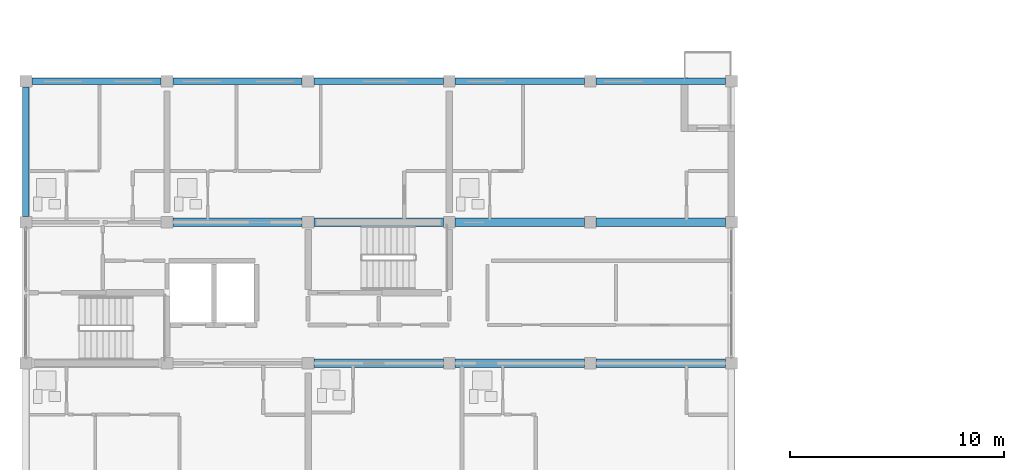
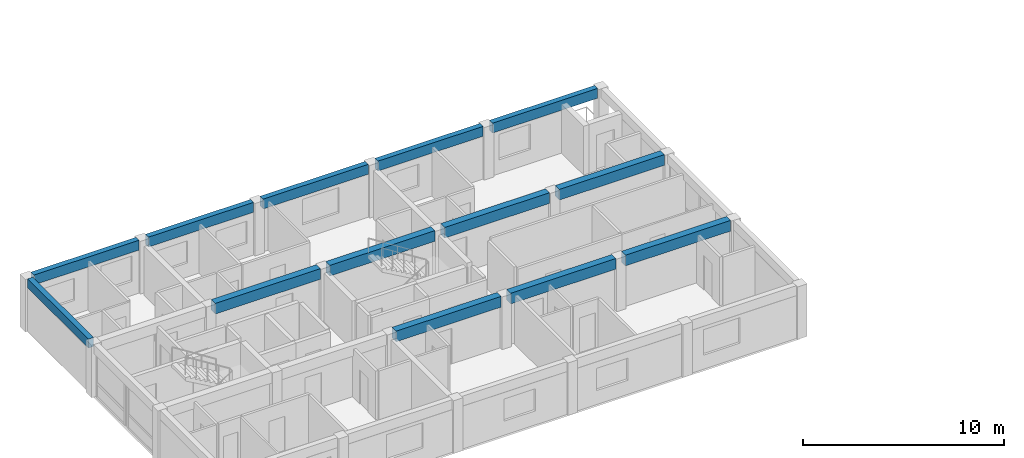
# One storey, part 17 of 45: 13 beams.
"""IFC4 building model written with IfcOpenShell, lengths in metres."""

import ifcopenshell
import ifcopenshell.guid

model = None  # the IFC model being written
_history = None  # IfcOwnerHistory: only IFC2X3 demands one
_inside = {}  # id of a spatial element -> (the spatial element, [elements in it])
_under = {}  # id of a project, library or spatial element -> (it, [spatial elements below it])
_declared = {}  # id of a project -> (the project, [libraries it declares])
_typed = {}  # id of a type object -> (the type object, [elements of that type])
_made_of = {}  # id of a material, layer set ... -> (it, [elements and type objects made of it])


def new_model(schema):
    """Start an empty IFC model of exactly this schema.

    Asked for "IFC4X3", IfcOpenShell would pick the latest addendum, in which some entities
    have other attributes; the version numbers below select the first issue.
    IFC2X3 requires an IfcOwnerHistory on every rooted entity: one is made here for all.
    """
    global model, _history
    if schema == "IFC4X3":
        model = ifcopenshell.file(schema_version=(4, 3, 0, 0))
    else:
        model = ifcopenshell.file(schema=schema)
    _inside.clear()
    _under.clear()
    _declared.clear()
    _typed.clear()
    _made_of.clear()
    _history = None
    if model.schema == "IFC2X3":
        org = make("IfcOrganization", Name="unknown")
        user = make(
            "IfcPersonAndOrganization",
            ThePerson=make("IfcPerson", FamilyName="unknown"),
            TheOrganization=org,
        )
        app = make(
            "IfcApplication",
            ApplicationDeveloper=org,
            Version="unknown",
            ApplicationFullName="unknown",
            ApplicationIdentifier="unknown",
        )
        _history = make(
            "IfcOwnerHistory",
            OwningUser=user,
            OwningApplication=app,
            ChangeAction="ADDED",
            CreationDate=0,
        )
    return model


def make(cls, **values):
    """One entity of the class cls with the attributes given. An attribute that is None is left unset."""
    return model.create_entity(
        cls, **{name: value for name, value in values.items() if value is not None}
    )


def rooted(cls, **values):
    """An entity with a GlobalId (a new one), such as an element, a storey or a relation."""
    return make(cls, GlobalId=ifcopenshell.guid.new(), OwnerHistory=_history, **values)


def si_unit(unit_type, name, prefix=None):
    """IfcSIUnit, for example si_unit("LENGTHUNIT", "METRE", prefix="MILLI")."""
    return make("IfcSIUnit", UnitType=unit_type, Prefix=prefix, Name=name)


def assignment(units):
    """IfcUnitAssignment: the units of a project."""
    return None if units is None else make("IfcUnitAssignment", Units=units)


def point(xyz):
    """IfcCartesianPoint."""
    return None if xyz is None else make("IfcCartesianPoint", Coordinates=xyz)


def direction(xyz):
    """IfcDirection."""
    return None if xyz is None else make("IfcDirection", DirectionRatios=xyz)


def frame(location, z_axis=None, x_axis=None):
    """IfcAxis2Placement3D, a coordinate frame: its origin and axes. An axis left out is left unset."""
    return make(
        "IfcAxis2Placement3D",
        Location=point(location),
        Axis=direction(z_axis),
        RefDirection=direction(x_axis),
    )


def frame_2d(location, x_axis=None):
    """IfcAxis2Placement2D, a coordinate frame in the plane: its origin and x axis."""
    return make(
        "IfcAxis2Placement2D", Location=point(location), RefDirection=direction(x_axis)
    )


def origin():
    """The frame at (0, 0, 0) with its axes left unset."""
    return frame((0.0, 0.0, 0.0))


def origin_2d():
    """The frame at (0, 0) in the plane with its x axis left unset."""
    return frame_2d((0.0, 0.0))


def place(relative_to, where):
    """IfcLocalPlacement: puts the frame where relative to a parent placement (None: the world)."""
    return make(
        "IfcLocalPlacement", PlacementRelTo=relative_to, RelativePlacement=where
    )


def context(
    kind, dimensions, precision=None, world=None, true_north=None, identifier=None
):
    """IfcGeometricRepresentationContext, for example the 3D "Model" context."""
    return make(
        "IfcGeometricRepresentationContext",
        ContextIdentifier=identifier,
        ContextType=kind,
        CoordinateSpaceDimension=dimensions,
        Precision=precision,
        WorldCoordinateSystem=world,
        TrueNorth=true_north,
    )


def subcontext(parent, identifier, kind, view, scale=None):
    """IfcGeometricRepresentationSubContext, for example "Body" below "Model"."""
    return make(
        "IfcGeometricRepresentationSubContext",
        ContextIdentifier=identifier,
        ContextType=kind,
        ParentContext=parent,
        TargetScale=scale,
        TargetView=view,
    )


def project(units=None, contexts=None):
    """IfcProject with its units and contexts."""
    return rooted(
        "IfcProject",
        Name="project",
        RepresentationContexts=contexts,
        UnitsInContext=assignment(units),
    )


def spatial(cls, under=None, at=None, **own):
    """A site, building, storey or space (cls), placed at a placement, below another one or the project."""
    s = rooted(cls, ObjectPlacement=at, **own)
    if under is not None:
        _under.setdefault(under.id(), (under, []))[1].append(s)
    return s


def profile(cls, at=None, kind="AREA", **sizes):
    """A parametric profile (cls). Its sizes go by their IFC names, for example OverallWidth=200.0."""
    return make(cls, ProfileType=kind, Position=at, **sizes)


def rectangle(**sizes):
    """IfcRectangleProfileDef."""
    return profile("IfcRectangleProfileDef", **sizes)


def extrude(swept, where, along, depth):
    """IfcExtrudedAreaSolid: the profile swept, set in the frame where, extruded along a direction by depth."""
    return make(
        "IfcExtrudedAreaSolid",
        SweptArea=swept,
        Position=where,
        ExtrudedDirection=direction(along),
        Depth=depth,
    )


def shape(context_of_items, identifier, shape_type, items):
    """IfcShapeRepresentation: the items that make up one representation, for example the "Body"."""
    return make(
        "IfcShapeRepresentation",
        ContextOfItems=context_of_items,
        RepresentationIdentifier=identifier,
        RepresentationType=shape_type,
        Items=items,
    )


def material(Name=None, Category=None):
    """IfcMaterial."""
    return make("IfcMaterial", Name=Name, Category=Category)


def material_profile(
    of_material, cross_section, Name=None, Category=None, Priority=None
):
    """IfcMaterialProfile: a cross section and its material."""
    return make(
        "IfcMaterialProfile",
        Name=Name,
        Material=of_material,
        Profile=cross_section,
        Priority=Priority,
        Category=Category,
    )


def profile_set(profiles, Name=None, composite=None):
    """IfcMaterialProfileSet."""
    return make(
        "IfcMaterialProfileSet",
        Name=Name,
        MaterialProfiles=profiles,
        CompositeProfile=composite,
    )


def made_of(thing, what):
    """Note that an element or type object is made of a material, layer set ...; save() writes the relation."""
    if what is not None:
        _made_of.setdefault(what.id(), (what, []))[1].append(thing)
    return thing


def type_object(cls, material=None, **own):
    """A type object (cls), such as IfcWallType, which elements share."""
    return made_of(rooted(cls, **own), material)


def element(
    cls,
    number,
    at=None,
    inside=None,
    cuts=None,
    type_object=None,
    material=None,
    context=None,
    identifier="Body",
    shape_type=None,
    held_by="IfcProductDefinitionShape",
    body=None,
    shapes=None,
    **own,
):
    """One element of the class cls, such as IfcWall. Its Tag is "e" and its number.

    at: its placement. inside: the storey or other place that contains it. cuts: it is an
    opening in that element (IfcRelVoidsElement). A single representation is given by context,
    identifier, shape_type and body (its items); several are given by shapes. held_by: the class
    of the entity that holds the representations. save() writes the other relations.
    """
    e = rooted(cls, Tag="e%d" % number, ObjectPlacement=at, **own)
    if body is not None:
        shapes = [shape(context, identifier, shape_type, body)]
    if shapes is not None:
        e.Representation = make(held_by, Representations=shapes)
    if inside is not None:
        _inside.setdefault(inside.id(), (inside, []))[1].append(e)
    if cuts is not None:
        rooted(
            "IfcRelVoidsElement", RelatingBuildingElement=cuts, RelatedOpeningElement=e
        )
    if type_object is not None:
        _typed.setdefault(type_object.id(), (type_object, []))[1].append(e)
    return made_of(e, material)


def aggregate(whole, parts):
    """IfcRelAggregates: a whole, such as a stair, and the parts it consists of."""
    return rooted("IfcRelAggregates", RelatingObject=whole, RelatedObjects=parts)


def save(model, path):
    """Write the relations noted so far, then the file.

    IfcRelAggregates (storeys below a building ...), IfcRelContainedInSpatialStructure (elements
    in a storey), IfcRelDefinesByType, IfcRelAssociatesMaterial and IfcRelDeclares: one each for
    every whole, place, type object, material and project.
    """
    for whole, parts in _under.values():
        aggregate(whole, parts)
    for where, things in _inside.values():
        rooted(
            "IfcRelContainedInSpatialStructure",
            RelatedElements=things,
            RelatingStructure=where,
        )
    for kind, things in _typed.values():
        rooted("IfcRelDefinesByType", RelatedObjects=things, RelatingType=kind)
    for what, things in _made_of.values():
        rooted("IfcRelAssociatesMaterial", RelatedObjects=things, RelatingMaterial=what)
    for by, libraries in _declared.values():
        rooted("IfcRelDeclares", RelatingContext=by, RelatedDefinitions=libraries)
    model.write(path)


model = new_model("IFC4")

# Units and contexts
model_context = context("Model", 3, precision=1e-05, world=origin(), true_north=direction((0.0, 1.0)))
body_context = subcontext(model_context, "Body", "Model", "MODEL_VIEW")
ifc_project = project(units=[si_unit("LENGTHUNIT", "METRE"), si_unit("AREAUNIT", "SQUARE_METRE"), si_unit("VOLUMEUNIT", "CUBIC_METRE"), si_unit("PLANEANGLEUNIT", "RADIAN"), si_unit("MASSUNIT", "GRAM", prefix="KILO")], contexts=[model_context])

# Site, building, storey
site_placement = place(None, origin())
site = spatial("IfcSite", under=ifc_project, at=site_placement, CompositionType="ELEMENT")
building_placement = place(site_placement, origin())
building = spatial("IfcBuilding", under=site, at=building_placement, Name="Kernevlak Ridge Housing Community", CompositionType="ELEMENT")
storey_placement = place(building_placement, frame((0.0, 0.0, 21.199951171875)))
storey = spatial("IfcBuildingStorey", under=building, at=storey_placement, Name="L06", CompositionType="ELEMENT", Elevation=21.199951171875)

# Beams
ifc_material = material(Name="Concrete C35/45", Category="concrete")
ifc_material_profile_1 = material_profile(ifc_material, rectangle(XDim=0.39990234375, YDim=0.64990234375, at=origin_2d()), Name="RC 400x650")
ifc_profile_set_1 = profile_set([ifc_material_profile_1], Name="Concrete C35/45")
beam_type_1 = type_object("IfcBeamType", Name="B-03", PredefinedType="T_BEAM", material=ifc_profile_set_1)
for number, where, z_axis, x_axis, name in (
    (1, (29.074951171875, 82.60009765625, 2.875), (1.0, 0.0, 0.0), (0.0, 1.0, 0.0), "Beam B-03 L06 220"),
    (2, (35.675048828125, 82.60009765625, 2.875), (1.0, 0.0, 0.0), (0.0, 1.0, 0.0), "Beam B-03 L06 221"),
    (3, (42.27490234375, 82.60009765625, 2.875), (1.0, 0.0, 0.0), (0.0, 1.0, 0.0), "Beam B-03 L06 222"),
):
    element("IfcBeam", number, at=place(storey_placement, frame(where, z_axis=z_axis, x_axis=x_axis)), inside=storey, type_object=beam_type_1, Name=name, PredefinedType="T_BEAM", context=body_context, shape_type="SweptSolid", body=[
        extrude(rectangle(XDim=0.39990234375, YDim=0.64990234375, at=origin_2d()), origin(), (0.0, 0.0, 1.0), 6.050048828125),
    ])
beam_1_placement = place(storey_placement, frame((22.47509765625, 89.199951171875, 2.875), z_axis=(1.0, 0.0, 0.0), x_axis=(0.0, 1.0, 0.0)))
element("IfcBeam", 4, at=beam_1_placement, inside=storey, type_object=beam_type_1, Name="Beam B-03 L06 224", PredefinedType="T_BEAM", context=body_context, shape_type="SweptSolid", body=[
    extrude(rectangle(XDim=0.39990234375, YDim=0.64990234375, at=origin_2d()), origin(), (0.0, 0.0, 1.0), 6.0498046875),
])
for number, where, z_axis, x_axis, name in (
    (5, (29.074951171875, 89.199951171875, 2.875), (1.0, 0.0, 0.0), (0.0, 1.0, 0.0), "Beam B-03 L06 225"),
    (6, (35.675048828125, 89.199951171875, 2.875), (1.0, 0.0, 0.0), (0.0, 1.0, 0.0), "Beam B-03 L06 226"),
    (7, (42.27490234375, 89.199951171875, 2.875), (1.0, 0.0, 0.0), (0.0, 1.0, 0.0), "Beam B-03 L06 227"),
):
    element("IfcBeam", number, at=place(storey_placement, frame(where, z_axis=z_axis, x_axis=x_axis)), inside=storey, type_object=beam_type_1, Name=name, PredefinedType="T_BEAM", context=body_context, shape_type="SweptSolid", body=[
        extrude(rectangle(XDim=0.39990234375, YDim=0.64990234375, at=origin_2d()), origin(), (0.0, 0.0, 1.0), 6.050048828125),
    ])
ifc_material_profile_2 = material_profile(ifc_material, rectangle(XDim=0.300048828125, YDim=0.550048828125, at=origin_2d()), Name="RC 300x550")
ifc_profile_set_2 = profile_set([ifc_material_profile_2], Name="Concrete C35/45")
beam_type_2 = type_object("IfcBeamType", Name="SP-01", PredefinedType="SPANDREL", material=ifc_profile_set_2)
beam_2_placement = place(storey_placement, frame((15.60009765625, 89.47509765625, 2.925048828125), z_axis=(0.0, 1.0, 0.0), x_axis=(-1.0, 0.0, 0.0)))
element("IfcBeam", 8, at=beam_2_placement, inside=storey, type_object=beam_type_2, Name="Beam SP-01 L06 235", PredefinedType="SPANDREL", context=body_context, shape_type="SweptSolid", body=[
    extrude(rectangle(XDim=0.300048828125, YDim=0.550048828125, at=origin_2d()), origin(), (0.0, 0.0, 1.0), 6.0498046875),
])
ifc_material_profile_3 = material_profile(ifc_material, rectangle(XDim=0.300048828125, YDim=0.60009765625, at=origin_2d()), Name="RC 300x600")
ifc_profile_set_3 = profile_set([ifc_material_profile_3], Name="Concrete C35/45")
beam_type_3 = type_object("IfcBeamType", Name="SP-02", PredefinedType="SPANDREL", material=ifc_profile_set_3)
beam_3_placement = place(storey_placement, frame((15.875, 95.800048828125, 2.900146484375), z_axis=(1.0, 0.0, 0.0), x_axis=(0.0, 1.0, 0.0)))
element("IfcBeam", 9, at=beam_3_placement, inside=storey, type_object=beam_type_3, Name="Beam SP-02 L06 228", PredefinedType="SPANDREL", context=body_context, shape_type="SweptSolid", body=[
    extrude(rectangle(XDim=0.300048828125, YDim=0.60009765625, at=origin_2d()), origin(), (0.0, 0.0, 1.0), 6.050048828125),
])
beam_4_placement = place(storey_placement, frame((22.47509765625, 95.800048828125, 2.900146484375), z_axis=(1.0, 0.0, 0.0), x_axis=(0.0, 1.0, 0.0)))
element("IfcBeam", 10, at=beam_4_placement, inside=storey, type_object=beam_type_3, Name="Beam SP-02 L06 229", PredefinedType="SPANDREL", context=body_context, shape_type="SweptSolid", body=[
    extrude(rectangle(XDim=0.300048828125, YDim=0.60009765625, at=origin_2d()), origin(), (0.0, 0.0, 1.0), 6.0498046875),
])
for number, where, z_axis, x_axis, name in (
    (11, (29.074951171875, 95.800048828125, 2.900146484375), (1.0, 0.0, 0.0), (0.0, 1.0, 0.0), "Beam SP-02 L06 230"),
    (12, (35.675048828125, 95.800048828125, 2.900146484375), (1.0, 0.0, 0.0), (0.0, 1.0, 0.0), "Beam SP-02 L06 231"),
    (13, (42.27490234375, 95.800048828125, 2.900146484375), (1.0, 0.0, 0.0), (0.0, 1.0, 0.0), "Beam SP-02 L06 232"),
):
    element("IfcBeam", number, at=place(storey_placement, frame(where, z_axis=z_axis, x_axis=x_axis)), inside=storey, type_object=beam_type_3, Name=name, PredefinedType="SPANDREL", context=body_context, shape_type="SweptSolid", body=[
        extrude(rectangle(XDim=0.300048828125, YDim=0.60009765625, at=origin_2d()), origin(), (0.0, 0.0, 1.0), 6.050048828125),
    ])

save(model, "model.ifc")
